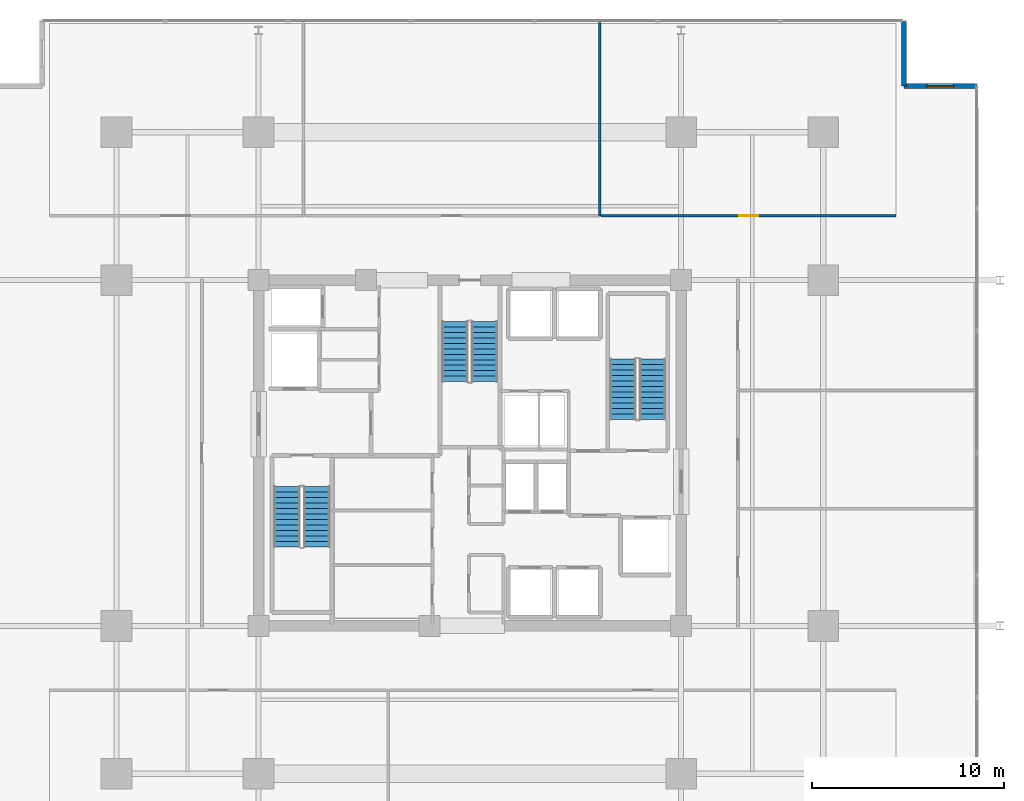
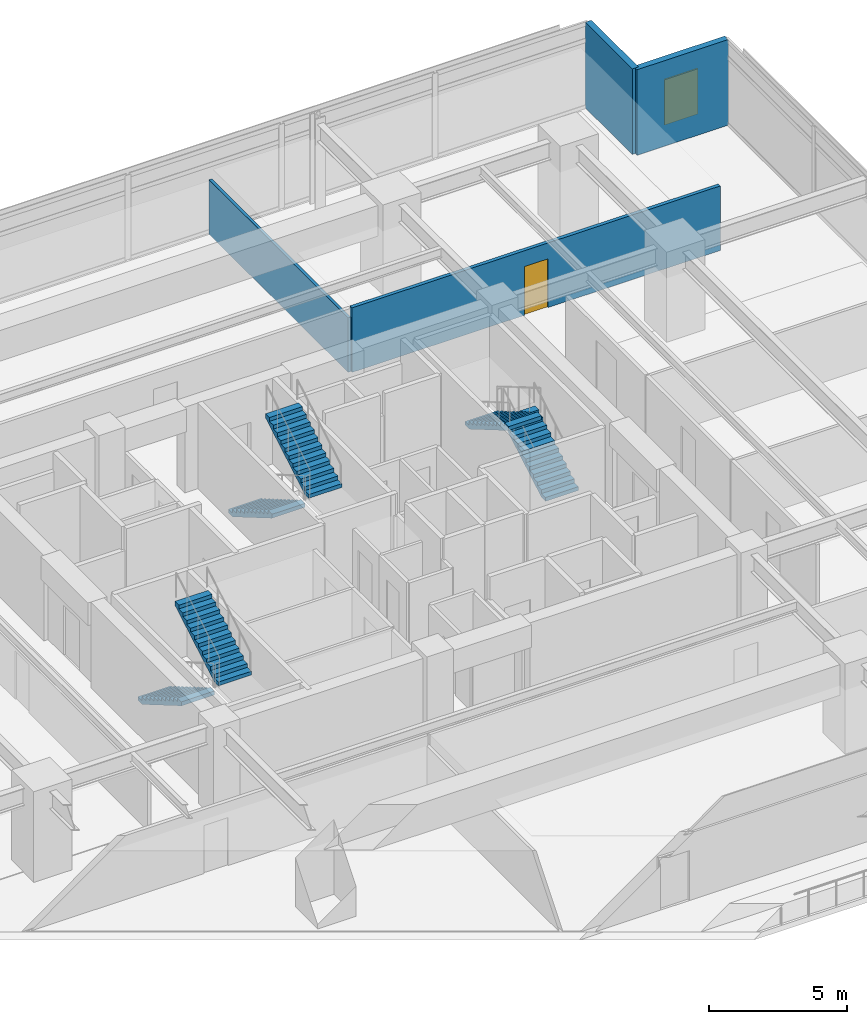
# One storey, part 17 of 23: 6 stair flights, 4 walls, 1 door, 1 window, 2 openings, 3 elements without a shape of their own.
"""IFC4 building model written with IfcOpenShell, lengths in metres."""

from ifc_helpers import new_model, si_unit, direction, frame, frame_2d, origin, place, context, subcontext, project, spatial, polyline, rectangle, outline, extrude, material, layer, layer_set, type_object, element, fill, aggregate, save


model = new_model("IFC4")

# Units and contexts
model_context = context("Model", 3, precision=1e-05, world=origin(), true_north=direction((0.0, 1.0)))
body_context = subcontext(model_context, "Body", "Model", "MODEL_VIEW")
ifc_project = project(units=[si_unit("LENGTHUNIT", "METRE"), si_unit("AREAUNIT", "SQUARE_METRE"), si_unit("VOLUMEUNIT", "CUBIC_METRE"), si_unit("PLANEANGLEUNIT", "RADIAN"), si_unit("MASSUNIT", "GRAM", prefix="KILO")], contexts=[model_context])

# Site, building, storey
site_placement = place(None, origin())
site = spatial("IfcSite", under=ifc_project, at=site_placement, CompositionType="ELEMENT")
building_placement = place(site_placement, origin())
building = spatial("IfcBuilding", under=site, at=building_placement, Name="Kovane Verandah Tower", CompositionType="ELEMENT")
storey_placement = place(building_placement, frame((0.0, 0.0, 136.39990234375)))
storey = spatial("IfcBuildingStorey", under=building, at=storey_placement, Name="L31", CompositionType="ELEMENT", Elevation=136.39990234375)

# Wall, opening, door
ifc_material_1 = material(Name="Fire-Rated Gypsum Stud Partition", Category="gypsum")
ifc_layer_1 = layer(ifc_material_1, 0.14990234375)
ifc_layer_set_1 = layer_set([ifc_layer_1], Name="Fire-Rated Gypsum Stud Partition")
wall_type_1 = type_object("IfcWallType", Name="WL-COR-150", PredefinedType="PARTITIONING", material=ifc_layer_set_1)
wall_1_placement = place(storey_placement, frame((46.8330078125, 39.85009765625, 0.0), z_axis=(0.0, 0.0, 1.0), x_axis=(1.0, 0.0, 0.0)))
wall_1 = element("IfcWall", 1, at=wall_1_placement, inside=storey, type_object=wall_type_1, Name="L31 Focus Studio N3 Corridor Partition", PredefinedType="PARTITIONING", context=body_context, shape_type="SweptSolid", body=[
    extrude(rectangle(XDim=15.356689453125, YDim=0.14990234375, at=frame_2d((7.67822265625, 0.0))), origin(), (0.0, 0.0, 1.0), 2.85009765625),
])
opening_1_placement = place(wall_1_placement, frame((7.17822265625, 0.0, 0.0)))
opening_1 = element("IfcOpeningElement", 2, at=opening_1_placement, cuts=wall_1, Name="Opening DR-L31-023", PredefinedType="OPENING", context=body_context, shape_type="SweptSolid", body=[
    extrude(rectangle(XDim=1.0, YDim=2.14990234375, at=frame_2d((0.5, 1.074951171875))), frame((0.0, 0.074951171875, 0.0), z_axis=(0.0, -1.0, 0.0), x_axis=(1.0, 0.0, 0.0)), (0.0, 0.0, 1.0), 0.14990234375),
])
ifc_material_2 = material(Name="FSC Spotted-Gum Timber Fire-Rated Office Door", Category="wood")
door_type = type_object("IfcDoorType", Name="DR-OFF-1000", OperationType="SINGLE_SWING_LEFT", PredefinedType="DOOR", material=ifc_material_2)
door_placement = place(opening_1_placement, origin())
door = element("IfcDoor", 3, at=door_placement, inside=storey, type_object=door_type, Name="L31 Focus Studio N3 Entrance Door", OperationType="SINGLE_SWING_RIGHT", OverallHeight=2.14990234375, OverallWidth=1.0, PredefinedType="DOOR", context=body_context, shape_type="SweptSolid", body=[
    extrude(rectangle(XDim=1.0, YDim=2.14990234375, at=frame_2d((0.5, 1.074951171875))), frame((0.0, 0.02490234375, 0.0), z_axis=(0.0, -1.0, 0.0), x_axis=(1.0, 0.0, 0.0)), (0.0, 0.0, 1.0), 0.050048828125),
])
fill(opening_1, door)

# Wall
ifc_material_3 = material(Name="Acoustic Fire-Rated Gypsum Partition", Category="gypsum")
ifc_layer_2 = layer(ifc_material_3, 0.1201171875)
ifc_layer_set_2 = layer_set([ifc_layer_2], Name="Acoustic Fire-Rated Gypsum Partition")
wall_type_2 = type_object("IfcWallType", Name="WL-PART-120", PredefinedType="PARTITIONING", material=ifc_layer_set_2)
wall_2_placement = place(storey_placement, frame((46.76318359375, 39.85009765625, 0.0), z_axis=(0.0, 0.0, 1.0), x_axis=(0.0, 1.0, 0.0)))
element("IfcWall", 4, at=wall_2_placement, inside=storey, type_object=wall_type_2, Name="L31 Meeting Room N2 Dividing Partition", PredefinedType="PARTITIONING", context=body_context, shape_type="SweptSolid", body=[
    extrude(rectangle(XDim=10.05029296875, YDim=0.1201171875, at=frame_2d((5.025146484375, 0.0))), origin(), (0.0, 0.0, 1.0), 2.405029296875),
])

# Wall, opening, window
ifc_material_4 = material(Name="Concrete C45/55 Insulated Spandrel Wall", Category="concrete")
ifc_layer_3 = layer(ifc_material_4, 0.260009765625)
ifc_layer_set_3 = layer_set([ifc_layer_3], Name="Concrete C45/55 Insulated Spandrel Wall")
wall_type_3 = type_object("IfcWallType", Name="WL-SPANDREL-260", PredefinedType="PARAPET", material=ifc_layer_set_3)
wall_3_placement = place(storey_placement, frame((66.3896484375, 46.6005859375, 0.0), z_axis=(0.0, 0.0, 1.0), x_axis=(-1.0, 0.0, 0.0)))
wall_3 = element("IfcWall", 5, at=wall_3_placement, inside=storey, type_object=wall_type_3, Name="L31 NE Notch Cheek Wall 1", PredefinedType="PARAPET", context=body_context, shape_type="SweptSolid", body=[
    extrude(rectangle(XDim=3.800048828125, YDim=0.260009765625, at=frame_2d((1.89990234375, 0.0))), origin(), (0.0, 0.0, 1.0), 3.775146484375),
])
opening_2_placement = place(wall_3_placement, frame((1.199951171875, 0.0, 0.85009765625)))
opening_2 = element("IfcOpeningElement", 6, at=opening_2_placement, cuts=wall_3, Name="Opening W-01", PredefinedType="OPENING", context=body_context, shape_type="SweptSolid", body=[
    extrude(rectangle(XDim=1.39990234375, YDim=2.0, at=frame_2d((0.699951171875, 1.0))), frame((0.0, 0.1298828125, 0.0), z_axis=(0.0, -1.0, 0.0), x_axis=(1.0, 0.0, 0.0)), (0.0, 0.0, 1.0), 0.260009765625),
])
ifc_material_5 = material(Name="Clear Low-E Laminated Double Glazing in Anodised Frame", Category="glass")
window_type = type_object("IfcWindowType", Name="WN-OPER-1400x2000", PartitioningType="SINGLE_PANEL", PredefinedType="WINDOW", material=ifc_material_5)
window_placement = place(opening_2_placement, origin())
window = element("IfcWindow", 7, at=window_placement, inside=storey, type_object=window_type, Name="L31 NE Re-Entrant Corner Operable Window", OverallHeight=2.0, OverallWidth=1.39990234375, PartitioningType="SINGLE_PANEL", PredefinedType="WINDOW", context=body_context, shape_type="SweptSolid", body=[
    extrude(rectangle(XDim=1.39990234375, YDim=2.0, at=frame_2d((0.699951171875, 1.0))), frame((0.0, 0.030029296875, 0.0), z_axis=(0.0, -1.0, 0.0), x_axis=(1.0, 0.0, 0.0)), (0.0, 0.0, 1.0), 0.06005859375),
])
fill(opening_2, window)

# Wall
wall_4_placement = place(storey_placement, frame((62.589599609375, 46.6005859375, 0.0), z_axis=(0.0, 0.0, 1.0), x_axis=(0.0, 1.0, 0.0)))
element("IfcWall", 8, at=wall_4_placement, inside=storey, type_object=wall_type_3, Name="L31 NE Notch Cheek Wall 2", PredefinedType="PARAPET", context=body_context, shape_type="SweptSolid", body=[
    extrude(rectangle(XDim=3.39990234375, YDim=0.260009765625, at=frame_2d((1.699951171875, 0.0))), origin(), (0.0, 0.0, 1.0), 3.775146484375),
])

# Stair, stair flights
ifc_material_6 = material(Name="Concrete C45/55", Category="concrete")
stair_type = type_object("IfcStairType", Name="ST-CORE-1380", PredefinedType="HALF_TURN_STAIR", material=ifc_material_6)
stair_1_placement = place(storey_placement, origin())
stair_1 = element("IfcStair", 9, at=stair_1_placement, inside=storey, type_object=stair_type, Name="L31 Exit Stair ST-01", PredefinedType="HALF_TURN_STAIR")
stair_flight_type = type_object("IfcStairFlightType", Name="STF-CORE-1380", PredefinedType="STRAIGHT", material=ifc_material_6)
stair_flight_1_placement = place(storey_placement, frame((30.489990234375, 25.75, 0.0), z_axis=(0.0, 0.0, 1.0), x_axis=(0.0, -1.0, 0.0)))
stair_flight_1 = element("IfcStairFlight", 10, at=stair_flight_1_placement, type_object=stair_flight_type, Name="ST-01 flight 1", NumberOfRisers=12, NumberOfTreads=11, PredefinedType="STRAIGHT", RiserHeight=0.166666667, TreadLength=0.285, context=body_context, shape_type="SweptSolid", body=[
    extrude(outline(polyline([(0.0, 0.0), (0.0, 0.166748046875), (0.284912109375, 0.166748046875), (0.284912109375, 0.333251953125), (0.570068359375, 0.333251953125), (0.570068359375, 0.5), (0.85498046875, 0.5), (0.85498046875, 0.666748046875), (1.139892578125, 0.666748046875), (1.139892578125, 0.833251953125), (1.425048828125, 0.833251953125), (1.425048828125, 1.0), (1.7099609375, 1.0), (1.7099609375, 1.166748046875), (1.9951171875, 1.166748046875), (1.9951171875, 1.333251953125), (2.280029296875, 1.333251953125), (2.280029296875, 1.5), (2.56494140625, 1.5), (2.56494140625, 1.666748046875), (2.85009765625, 1.666748046875), (2.85009765625, 1.833251953125), (3.135009765625, 1.833251953125), (3.135009765625, 2.0), (3.135009765625, 1.65966796875), (0.296875, 0.0), (0.0, 0.0)])), frame((0.0, 0.68994140625, 0.0), z_axis=(0.0, -1.0, 0.0), x_axis=(1.0, 0.0, 0.0)), (0.0, 0.0, 1.0), 1.3798828125),
])
stair_flight_2_placement = place(storey_placement, frame((32.030029296875, 22.614990234375, 2.0), z_axis=(0.0, 0.0, 1.0), x_axis=(0.0, 1.0, 0.0)))
stair_flight_2 = element("IfcStairFlight", 11, at=stair_flight_2_placement, type_object=stair_flight_type, Name="ST-01 flight 2", NumberOfRisers=12, NumberOfTreads=11, PredefinedType="STRAIGHT", RiserHeight=0.166666667, TreadLength=0.285, context=body_context, shape_type="SweptSolid", body=[
    extrude(outline(polyline([(0.0, 0.0), (0.0, 0.166748046875), (0.284912109375, 0.166748046875), (0.284912109375, 0.333251953125), (0.570068359375, 0.333251953125), (0.570068359375, 0.5), (0.85498046875, 0.5), (0.85498046875, 0.666748046875), (1.139892578125, 0.666748046875), (1.139892578125, 0.833251953125), (1.425048828125, 0.833251953125), (1.425048828125, 1.0), (1.7099609375, 1.0), (1.7099609375, 1.166748046875), (1.9951171875, 1.166748046875), (1.9951171875, 1.333251953125), (2.280029296875, 1.333251953125), (2.280029296875, 1.5), (2.56494140625, 1.5), (2.56494140625, 1.666748046875), (2.85009765625, 1.666748046875), (2.85009765625, 1.833251953125), (3.135009765625, 1.833251953125), (3.135009765625, 2.0), (3.135009765625, 1.65966796875), (0.296875, 0.0), (0.0, 0.0)])), frame((0.0, 0.68994140625, 0.0), z_axis=(0.0, -1.0, 0.0), x_axis=(1.0, 0.0, 0.0)), (0.0, 0.0, 1.0), 1.3798828125),
])
aggregate(stair_1, [stair_flight_1, stair_flight_2])

stair_2_placement = place(storey_placement, origin())
stair_2 = element("IfcStair", 12, at=stair_2_placement, inside=storey, type_object=stair_type, Name="L31 Exit Stair ST-02", PredefinedType="HALF_TURN_STAIR")
stair_flight_3_placement = place(storey_placement, frame((49.510009765625, 29.25, 0.0), z_axis=(0.0, 0.0, 1.0), x_axis=(0.0, 1.0, 0.0)))
stair_flight_3 = element("IfcStairFlight", 13, at=stair_flight_3_placement, type_object=stair_flight_type, Name="ST-02 flight 1", NumberOfRisers=12, NumberOfTreads=11, PredefinedType="STRAIGHT", RiserHeight=0.166666667, TreadLength=0.285, context=body_context, shape_type="SweptSolid", body=[
    extrude(outline(polyline([(0.0, 0.0), (0.0, 0.166748046875), (0.284912109375, 0.166748046875), (0.284912109375, 0.333251953125), (0.570068359375, 0.333251953125), (0.570068359375, 0.5), (0.85498046875, 0.5), (0.85498046875, 0.666748046875), (1.139892578125, 0.666748046875), (1.139892578125, 0.833251953125), (1.425048828125, 0.833251953125), (1.425048828125, 1.0), (1.7099609375, 1.0), (1.7099609375, 1.166748046875), (1.9951171875, 1.166748046875), (1.9951171875, 1.333251953125), (2.280029296875, 1.333251953125), (2.280029296875, 1.5), (2.56494140625, 1.5), (2.56494140625, 1.666748046875), (2.85009765625, 1.666748046875), (2.85009765625, 1.833251953125), (3.135009765625, 1.833251953125), (3.135009765625, 2.0), (3.135009765625, 1.65966796875), (0.296875, 0.0), (0.0, 0.0)])), frame((0.0, 0.68994140625, 0.0), z_axis=(0.0, -1.0, 0.0), x_axis=(1.0, 0.0, 0.0)), (0.0, 0.0, 1.0), 1.3798828125),
])
stair_flight_4_placement = place(storey_placement, frame((47.969970703125, 32.385009765625, 2.0), z_axis=(0.0, 0.0, 1.0), x_axis=(0.0, -1.0, 0.0)))
stair_flight_4 = element("IfcStairFlight", 14, at=stair_flight_4_placement, type_object=stair_flight_type, Name="ST-02 flight 2", NumberOfRisers=12, NumberOfTreads=11, PredefinedType="STRAIGHT", RiserHeight=0.166666667, TreadLength=0.285, context=body_context, shape_type="SweptSolid", body=[
    extrude(outline(polyline([(0.0, 0.0), (0.0, 0.166748046875), (0.284912109375, 0.166748046875), (0.284912109375, 0.333251953125), (0.570068359375, 0.333251953125), (0.570068359375, 0.5), (0.85498046875, 0.5), (0.85498046875, 0.666748046875), (1.139892578125, 0.666748046875), (1.139892578125, 0.833251953125), (1.425048828125, 0.833251953125), (1.425048828125, 1.0), (1.7099609375, 1.0), (1.7099609375, 1.166748046875), (1.9951171875, 1.166748046875), (1.9951171875, 1.333251953125), (2.280029296875, 1.333251953125), (2.280029296875, 1.5), (2.56494140625, 1.5), (2.56494140625, 1.666748046875), (2.85009765625, 1.666748046875), (2.85009765625, 1.833251953125), (3.135009765625, 1.833251953125), (3.135009765625, 2.0), (3.135009765625, 1.65966796875), (0.296875, 0.0), (0.0, 0.0)])), frame((0.0, 0.68994140625, 0.0), z_axis=(0.0, -1.0, 0.0), x_axis=(1.0, 0.0, 0.0)), (0.0, 0.0, 1.0), 1.3798828125),
])
aggregate(stair_2, [stair_flight_3, stair_flight_4])

stair_3_placement = place(storey_placement, origin())
stair_3 = element("IfcStair", 15, at=stair_3_placement, inside=storey, type_object=stair_type, Name="L31 Exit Stair ST-03", PredefinedType="HALF_TURN_STAIR")
stair_flight_5_placement = place(storey_placement, frame((39.22998046875, 34.35009765625, 0.0), z_axis=(0.0, 0.0, 1.0), x_axis=(0.0, -1.0, 0.0)))
stair_flight_5 = element("IfcStairFlight", 16, at=stair_flight_5_placement, type_object=stair_flight_type, Name="ST-03 flight 1", NumberOfRisers=12, NumberOfTreads=11, PredefinedType="STRAIGHT", RiserHeight=0.166666667, TreadLength=0.285, context=body_context, shape_type="SweptSolid", body=[
    extrude(outline(polyline([(0.0, 0.0), (0.0, 0.166748046875), (0.284912109375, 0.166748046875), (0.284912109375, 0.333251953125), (0.570068359375, 0.333251953125), (0.570068359375, 0.5), (0.85498046875, 0.5), (0.85498046875, 0.666748046875), (1.139892578125, 0.666748046875), (1.139892578125, 0.833251953125), (1.425048828125, 0.833251953125), (1.425048828125, 1.0), (1.7099609375, 1.0), (1.7099609375, 1.166748046875), (1.9951171875, 1.166748046875), (1.9951171875, 1.333251953125), (2.280029296875, 1.333251953125), (2.280029296875, 1.5), (2.56494140625, 1.5), (2.56494140625, 1.666748046875), (2.85009765625, 1.666748046875), (2.85009765625, 1.833251953125), (3.135009765625, 1.833251953125), (3.135009765625, 2.0), (3.135009765625, 1.65966796875), (0.296875, 0.0), (0.0, 0.0)])), frame((0.0, 0.68994140625, 0.0), z_axis=(0.0, -1.0, 0.0), x_axis=(1.0, 0.0, 0.0)), (0.0, 0.0, 1.0), 1.3798828125),
])
stair_flight_6_placement = place(storey_placement, frame((40.77001953125, 31.215087890625, 2.0), z_axis=(0.0, 0.0, 1.0), x_axis=(0.0, 1.0, 0.0)))
stair_flight_6 = element("IfcStairFlight", 17, at=stair_flight_6_placement, type_object=stair_flight_type, Name="ST-03 flight 2", NumberOfRisers=12, NumberOfTreads=11, PredefinedType="STRAIGHT", RiserHeight=0.166666667, TreadLength=0.285, context=body_context, shape_type="SweptSolid", body=[
    extrude(outline(polyline([(0.0, 0.0), (0.0, 0.166748046875), (0.284912109375, 0.166748046875), (0.284912109375, 0.333251953125), (0.570068359375, 0.333251953125), (0.570068359375, 0.5), (0.85498046875, 0.5), (0.85498046875, 0.666748046875), (1.139892578125, 0.666748046875), (1.139892578125, 0.833251953125), (1.425048828125, 0.833251953125), (1.425048828125, 1.0), (1.7099609375, 1.0), (1.7099609375, 1.166748046875), (1.9951171875, 1.166748046875), (1.9951171875, 1.333251953125), (2.280029296875, 1.333251953125), (2.280029296875, 1.5), (2.56494140625, 1.5), (2.56494140625, 1.666748046875), (2.85009765625, 1.666748046875), (2.85009765625, 1.833251953125), (3.135009765625, 1.833251953125), (3.135009765625, 2.0), (3.135009765625, 1.65966796875), (0.296875, 0.0), (0.0, 0.0)])), frame((0.0, 0.68994140625, 0.0), z_axis=(0.0, -1.0, 0.0), x_axis=(1.0, 0.0, 0.0)), (0.0, 0.0, 1.0), 1.3798828125),
])
aggregate(stair_3, [stair_flight_5, stair_flight_6])

save(model, "model.ifc")
